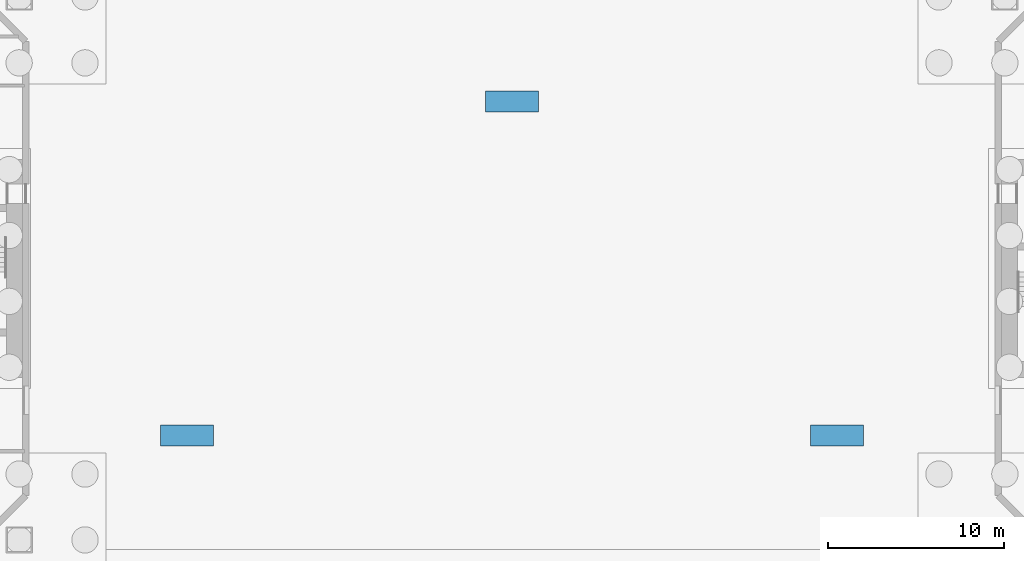
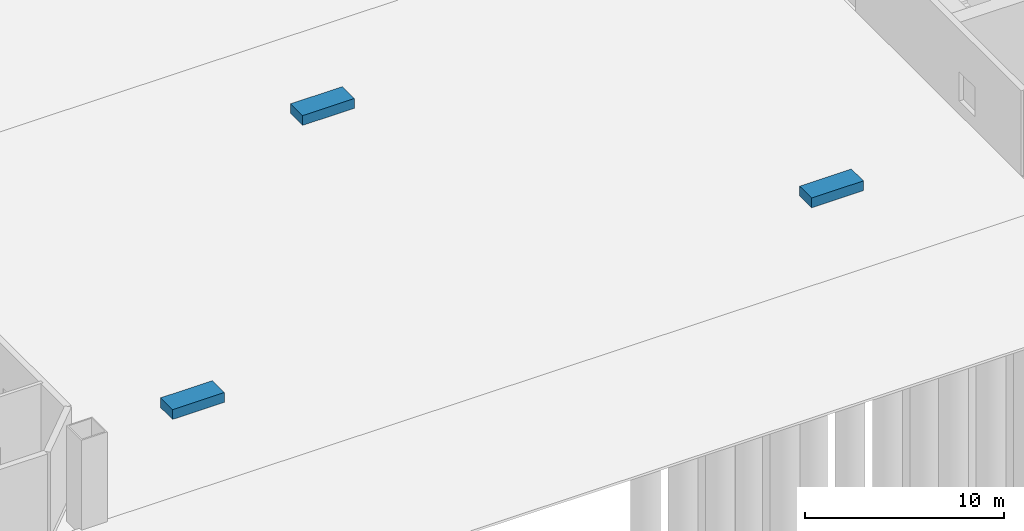
# One storey, part 20 of 26: 3 discrete accessories.
"""IFC4 building model written with IfcOpenShell, lengths in metres."""

from ifc_helpers import new_model, si_unit, direction, frame, origin, origin_2d, place, context, subcontext, project, spatial, rectangle, extrude, material, type_object, element, save


model = new_model("IFC4")

# Units and contexts
model_context = context("Model", 3, precision=1e-05, world=origin(), true_north=direction((0.0, 1.0)))
body_context = subcontext(model_context, "Body", "Model", "MODEL_VIEW")
ifc_project = project(units=[si_unit("LENGTHUNIT", "METRE"), si_unit("AREAUNIT", "SQUARE_METRE"), si_unit("VOLUMEUNIT", "CUBIC_METRE"), si_unit("PLANEANGLEUNIT", "RADIAN"), si_unit("MASSUNIT", "GRAM", prefix="KILO")], contexts=[model_context])

# Site, building, storey
site_placement = place(None, origin())
site = spatial("IfcSite", under=ifc_project, at=site_placement, CompositionType="ELEMENT")
building_placement = place(site_placement, origin())
building = spatial("IfcBuilding", under=site, at=building_placement, Name="Tuart Gate Housing", CompositionType="ELEMENT")
storey_placement = place(building_placement, origin())
storey = spatial("IfcBuildingStorey", under=building, at=storey_placement, Name="L00", CompositionType="ELEMENT", Elevation=0.0)

# Discrete accessories
ifc_material = material(Name="Brick planter with soil", Category="masonry")
discrete_accessory_type = type_object("IfcDiscreteAccessoryType", Name="PLANTER", PredefinedType="USERDEFINED", material=ifc_material)
for number, where, z_axis, x_axis, name in (
    (1, (85.0, 60.5, 0.0), (0.0, 0.0, 1.0), (1.0, 0.0, 0.0), "PLANTER"),
    (2, (103.5, 79.5, 0.0), (0.0, 0.0, 1.0), (1.0, 0.0, 0.0), "PLANTER"),
    (3, (122.0, 60.5, 0.0), (0.0, 0.0, 1.0), (1.0, 0.0, 0.0), "PLANTER"),
):
    element("IfcDiscreteAccessory", number, at=place(storey_placement, frame(where, z_axis=z_axis, x_axis=x_axis)), inside=storey, type_object=discrete_accessory_type, Name=name, ObjectType="PLANTER", PredefinedType="USERDEFINED", context=body_context, shape_type="SweptSolid", body=[
        extrude(rectangle(XDim=3.0, YDim=1.199951171875, at=origin_2d()), origin(), (0.0, 0.0, 1.0), 0.60009765625),
    ])

save(model, "model.ifc")
